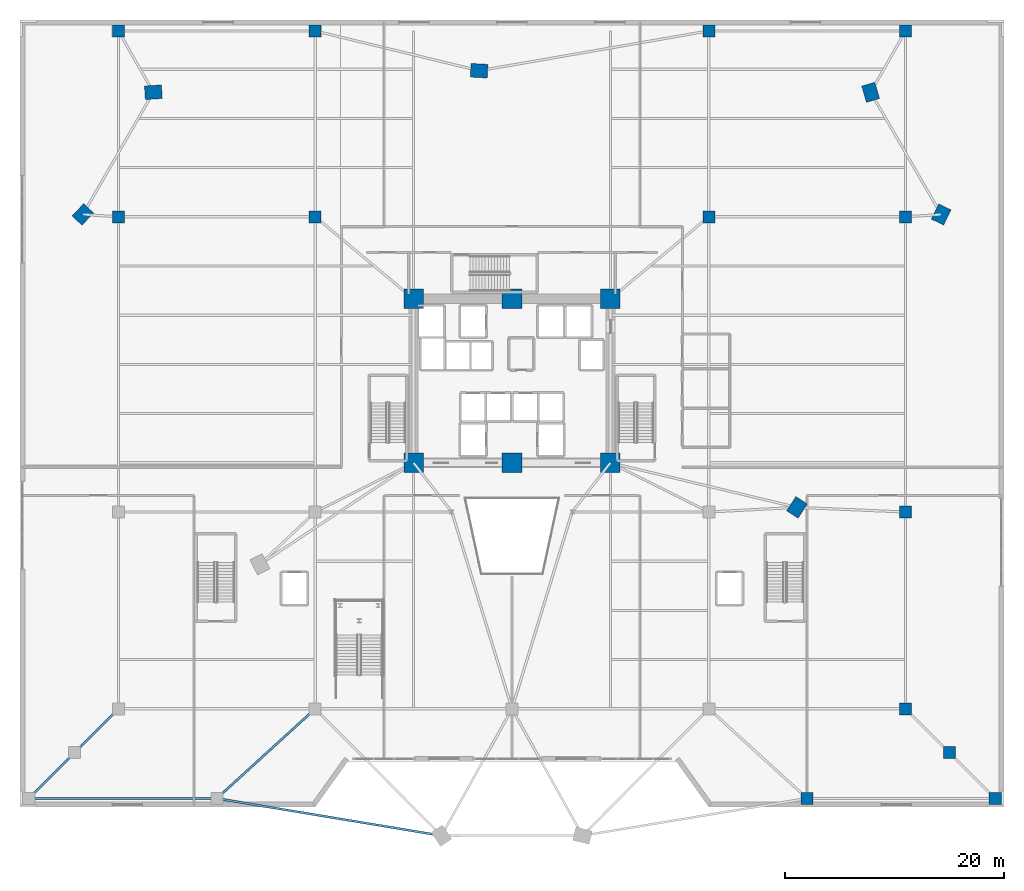
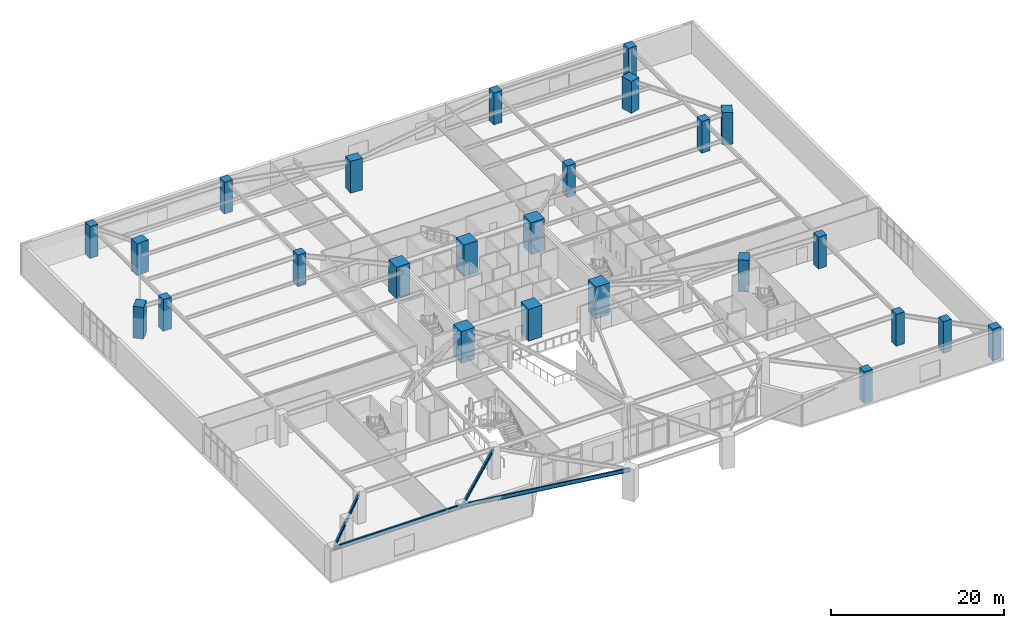
# One storey, part 3 of 29: 25 columns, 5 beams.
"""IFC4 building model written with IfcOpenShell, lengths in metres."""

from ifc_helpers import new_model, si_unit, direction, frame, origin, origin_2d, place, context, subcontext, project, spatial, rectangle, i_section, extrude, source, transform, mapped, material, material_profile, profile_set, type_object, element, save


model = new_model("IFC4")

# Units and contexts
model_context = context("Model", 3, precision=1e-05, world=origin(), true_north=direction((0.0, 1.0)))
body_context = subcontext(model_context, "Body", "Model", "MODEL_VIEW")
ifc_project = project(units=[si_unit("LENGTHUNIT", "METRE"), si_unit("AREAUNIT", "SQUARE_METRE"), si_unit("VOLUMEUNIT", "CUBIC_METRE"), si_unit("PLANEANGLEUNIT", "RADIAN"), si_unit("MASSUNIT", "GRAM", prefix="KILO")], contexts=[model_context])

# Site, building, storey
site_placement = place(None, origin())
site = spatial("IfcSite", under=ifc_project, at=site_placement, CompositionType="ELEMENT")
building_placement = place(site_placement, origin())
building = spatial("IfcBuilding", under=site, at=building_placement, Name="Liaohun Quay Tower", CompositionType="ELEMENT")
storey_placement = place(building_placement, frame((0.0, 0.0, 5.39990234375)))
storey = spatial("IfcBuildingStorey", under=building, at=storey_placement, Name="L02", CompositionType="ELEMENT", Elevation=5.39990234375)

# Columns
ifc_material_1 = material(Name="Concrete C60", Category="concrete")
ifc_material_profile_1 = material_profile(ifc_material_1, rectangle(XDim=1.800048828125, YDim=1.800048828125, at=origin_2d()), Name="RC1800x1800")
ifc_profile_set_1 = profile_set([ifc_material_profile_1], Name="Concrete C60")
column_type_1 = type_object("IfcColumnType", Name="COL-CC-B", PredefinedType="COLUMN", material=ifc_profile_set_1)
shared_shape_1 = source(origin(), body_context, "Body", "SweptSolid", [
    extrude(rectangle(XDim=1.800048828125, YDim=1.800048828125, at=origin_2d()), origin(), (0.0, 0.0, 1.0), 4.5),
])
for number, where, z_axis, x_axis, name in (
    (1, (51.0, 46.5, 0.0), (0.0, 0.0, 1.0), (1.0, 0.0, 0.0), "L02 Core Column CC1"),
    (2, (60.0, 46.5, 0.0), (0.0, 0.0, 1.0), (1.0, 0.0, 0.0), "L02 Core Column CC2"),
    (3, (69.0, 46.5, 0.0), (0.0, 0.0, 1.0), (1.0, 0.0, 0.0), "L02 Core Column CC3"),
    (4, (69.0, 61.5, 0.0), (0.0, 0.0, 1.0), (1.0, 0.0, 0.0), "L02 Core Column CC4"),
    (5, (60.0, 61.5, 0.0), (0.0, 0.0, 1.0), (1.0, 0.0, 0.0), "L02 Core Column CC5"),
    (6, (51.0, 61.5, 0.0), (0.0, 0.0, 1.0), (1.0, 0.0, 0.0), "L02 Core Column CC6"),
):
    element("IfcColumn", number, at=place(storey_placement, frame(where, z_axis=z_axis, x_axis=x_axis)), inside=storey, type_object=column_type_1, Name=name, PredefinedType="COLUMN", context=body_context, shape_type="MappedRepresentation", body=[
        mapped(shared_shape_1, transform((0.0, 0.0, 0.0), x_axis=(1.0, 0.0, 0.0), y_axis=(0.0, 1.0, 0.0), z_axis=(0.0, 0.0, 1.0), scale=1.0)),
    ])
ifc_material_profile_2 = material_profile(ifc_material_1, rectangle(XDim=1.550048828125, YDim=1.25, at=origin_2d()), Name="RC1550x1250")
ifc_profile_set_2 = profile_set([ifc_material_profile_2], Name="Concrete C60")
column_type_2 = type_object("IfcColumnType", Name="COL-PIER-Z1", PredefinedType="COLUMN", material=ifc_profile_set_2)
shared_shape_2 = source(origin(), body_context, "Body", "SweptSolid", [
    extrude(rectangle(XDim=1.550048828125, YDim=1.25, at=origin_2d()), origin(), (0.0, 0.0, 1.0), 4.5),
])
for number, where, z_axis, x_axis, name in (
    (7, (20.748046875, 69.217041015625, 0.0), (0.0, 0.0, 1.0), (0.68936671806, 0.724412539946, 0.0), "L02 Tower Mega-Pier PC03"),
    (8, (27.198974609375, 80.39111328125, 0.0), (0.0, 0.0, 1.0), (0.997824541457, 0.065925597951, 0.0), "L02 Tower Mega-Pier PC05"),
    (9, (92.802978515625, 80.384033203125, 0.0), (0.0, 0.0, 1.0), (-0.282676303383, 0.959215360337, 0.0), "L02 Tower Mega-Pier PC07"),
    (10, (99.256103515625, 69.2119140625, 0.0), (0.0, 0.0, 1.0), (0.441819028143, 0.897104200397, 0.0), "L02 Tower Mega-Pier PC09"),
    (11, (56.9951171875, 82.360107421875, 0.0), (0.0, 0.0, 1.0), (-0.998479491627, 0.055124448298, 0.0), "L02 Tower Mega-Pier PC06"),
    (12, (86.06396484375, 42.423095703125, 0.0), (0.0, 0.0, 1.0), (0.546978918409, 0.837146380758, 0.0), "L02 Tower Mega-Pier PC10"),
):
    element("IfcColumn", number, at=place(storey_placement, frame(where, z_axis=z_axis, x_axis=x_axis)), inside=storey, type_object=column_type_2, Name=name, PredefinedType="COLUMN", context=body_context, shape_type="MappedRepresentation", body=[
        mapped(shared_shape_2, transform((0.0, 0.0, 0.0), x_axis=(1.0, 0.0, 0.0), y_axis=(0.0, 1.0, 0.0), z_axis=(0.0, 0.0, 1.0), scale=1.0)),
    ])
ifc_material_2 = material(Name="Concrete C55", Category="concrete")
ifc_material_profile_3 = material_profile(ifc_material_2, rectangle(XDim=1.10009765625, YDim=1.10009765625, at=origin_2d()), Name="RC1100x1100")
ifc_profile_set_3 = profile_set([ifc_material_profile_3], Name="Concrete C55")
column_type_3 = type_object("IfcColumnType", Name="COL-POD-P", PredefinedType="COLUMN", material=ifc_profile_set_3)
shared_shape_3 = source(origin(), body_context, "Body", "SweptSolid", [
    extrude(rectangle(XDim=1.10009765625, YDim=1.10009765625, at=origin_2d()), origin(), (0.0, 0.0, 1.0), 4.5),
])
for number, where, z_axis, x_axis, name in (
    (13, (96.0, 24.0, 0.0), (0.0, 0.0, 1.0), (1.0, 0.0, 0.0), "L02 Podium Column PG05"),
    (14, (96.0, 42.0, 0.0), (0.0, 0.0, 1.0), (1.0, 0.0, 0.0), "L02 Podium Column PG09"),
    (15, (24.0, 69.0, 0.0), (0.0, 0.0, 1.0), (1.0, 0.0, 0.0), "L02 Podium Column PG10"),
    (16, (42.0, 69.0, 0.0), (0.0, 0.0, 1.0), (1.0, 0.0, 0.0), "L02 Podium Column PG11"),
    (17, (78.0, 69.0, 0.0), (0.0, 0.0, 1.0), (1.0, 0.0, 0.0), "L02 Podium Column PG12"),
    (18, (96.0, 69.0, 0.0), (0.0, 0.0, 1.0), (1.0, 0.0, 0.0), "L02 Podium Column PG13"),
    (19, (24.0, 86.0, 0.0), (0.0, 0.0, 1.0), (1.0, 0.0, 0.0), "L02 Podium Column PG14"),
    (20, (42.0, 86.0, 0.0), (0.0, 0.0, 1.0), (1.0, 0.0, 0.0), "L02 Podium Column PG15"),
    (21, (78.0, 86.0, 0.0), (0.0, 0.0, 1.0), (1.0, 0.0, 0.0), "L02 Podium Column PG17"),
    (22, (96.0, 86.0, 0.0), (0.0, 0.0, 1.0), (1.0, 0.0, 0.0), "L02 Podium Column PG18"),
    (23, (87.0, 15.800048828125, 0.0), (0.0, 0.0, 1.0), (1.0, 0.0, 0.0), "L02 Podium Column PT03"),
    (24, (104.199951171875, 15.800048828125, 0.0), (0.0, 0.0, 1.0), (1.0, 0.0, 0.0), "L02 Podium Column PT04"),
    (25, (100.0, 20.0, 0.0), (0.0, 0.0, 1.0), (1.0, 0.0, 0.0), "L02 Podium Column PT06"),
):
    element("IfcColumn", number, at=place(storey_placement, frame(where, z_axis=z_axis, x_axis=x_axis)), inside=storey, type_object=column_type_3, Name=name, PredefinedType="COLUMN", context=body_context, shape_type="MappedRepresentation", body=[
        mapped(shared_shape_3, transform((0.0, 0.0, 0.0), x_axis=(1.0, 0.0, 0.0), y_axis=(0.0, 1.0, 0.0), z_axis=(0.0, 0.0, 1.0), scale=1.0)),
    ])

# Beams
ifc_material_3 = material(Name="Steel Q355D", Category="steel")
ifc_material_profile_4 = material_profile(ifc_material_3, i_section(OverallWidth=0.199951171875, OverallDepth=0.550048828125, WebThickness=0.010009765625, FlangeThickness=0.01611328125, at=origin_2d()), Name="HN550x200x10x16")
ifc_profile_set_4 = profile_set([ifc_material_profile_4], Name="Steel Q355D")
beam_type = type_object("IfcBeamType", Name="BM-POD-G2", PredefinedType="BEAM", material=ifc_profile_set_4)
shared_shape_4 = source(origin(), body_context, "Body", "SweptSolid", [
    extrude(i_section(OverallWidth=0.199951171875, OverallDepth=0.550048828125, WebThickness=0.010009765625, FlangeThickness=0.01611328125, at=origin_2d()), origin(), (0.0, 0.0, 1.0), 17.199951171875),
])
beam_1_placement = place(storey_placement, frame((15.800048828125, 15.800048828125, 3.97509765625), z_axis=(1.0, 0.0, 0.0), x_axis=(0.0, 1.0, 0.0)))
element("IfcBeam", 26, at=beam_1_placement, inside=storey, type_object=beam_type, Name="L02 Perimeter Tie Girder PT01-PT02", PredefinedType="BEAM", context=body_context, shape_type="MappedRepresentation", body=[
    mapped(shared_shape_4, transform((0.0, 0.0, 0.0), x_axis=(1.0, 0.0, 0.0), y_axis=(0.0, 1.0, 0.0), z_axis=(0.0, 0.0, 1.0), scale=1.0)),
])
shared_shape_5 = source(origin(), body_context, "Body", "SweptSolid", [
    extrude(i_section(OverallWidth=0.199951171875, OverallDepth=0.550048828125, WebThickness=0.010009765625, FlangeThickness=0.01611328125, at=origin_2d()), origin(), (0.0, 0.0, 1.0), 20.825927734375),
])
beam_2_placement = place(storey_placement, frame((33.0, 15.800048828125, 3.97509765625), z_axis=(0.986558813697, -0.163406569991, 0.0), x_axis=(0.163406569991, 0.986558813697, 0.0)))
element("IfcBeam", 27, at=beam_2_placement, inside=storey, type_object=beam_type, Name="L02 Perimeter Tie Girder PT02-PC01", PredefinedType="BEAM", context=body_context, shape_type="MappedRepresentation", body=[
    mapped(shared_shape_5, transform((0.0, 0.0, 0.0), x_axis=(1.0, 0.0, 0.0), y_axis=(0.0, 1.0, 0.0), z_axis=(0.0, 0.0, 1.0), scale=1.0)),
])
shared_shape_6 = source(origin(), body_context, "Body", "SweptSolid", [
    extrude(i_section(OverallWidth=0.199951171875, OverallDepth=0.550048828125, WebThickness=0.010009765625, FlangeThickness=0.01611328125, at=origin_2d()), origin(), (0.0, 0.0, 1.0), 5.939697265625),
])
beam_3_placement = place(storey_placement, frame((15.800048828125, 15.800048828125, 3.97509765625), z_axis=(0.707106781187, 0.707106781187, 0.0), x_axis=(-0.707106781187, 0.707106781187, 0.0)))
element("IfcBeam", 28, at=beam_3_placement, inside=storey, type_object=beam_type, Name="L02 Perimeter Tie Girder PT01-PT05", PredefinedType="BEAM", context=body_context, shape_type="MappedRepresentation", body=[
    mapped(shared_shape_6, transform((0.0, 0.0, 0.0), x_axis=(1.0, 0.0, 0.0), y_axis=(0.0, 1.0, 0.0), z_axis=(0.0, 0.0, 1.0), scale=1.0)),
])
shared_shape_7 = source(origin(), body_context, "Body", "SweptSolid", [
    extrude(i_section(OverallWidth=0.199951171875, OverallDepth=0.550048828125, WebThickness=0.010009765625, FlangeThickness=0.01611328125, at=origin_2d()), origin(), (0.0, 0.0, 1.0), 12.17529296875),
])
beam_4_placement = place(storey_placement, frame((33.0, 15.800048828125, 3.97509765625), z_axis=(0.739198333818, 0.673487804849, 0.0), x_axis=(-0.673487804849, 0.739198333818, 0.0)))
element("IfcBeam", 29, at=beam_4_placement, inside=storey, type_object=beam_type, Name="L02 Perimeter Tie Girder PT02-PG02", PredefinedType="BEAM", context=body_context, shape_type="MappedRepresentation", body=[
    mapped(shared_shape_7, transform((0.0, 0.0, 0.0), x_axis=(1.0, 0.0, 0.0), y_axis=(0.0, 1.0, 0.0), z_axis=(0.0, 0.0, 1.0), scale=1.0)),
])
shared_shape_8 = source(origin(), body_context, "Body", "SweptSolid", [
    extrude(i_section(OverallWidth=0.199951171875, OverallDepth=0.550048828125, WebThickness=0.010009765625, FlangeThickness=0.01611328125, at=origin_2d()), origin(), (0.0, 0.0, 1.0), 5.65673828125),
])
beam_5_placement = place(storey_placement, frame((20.0, 20.0, 3.97509765625), z_axis=(0.707106781187, 0.707106781187, 0.0), x_axis=(-0.707106781187, 0.707106781187, 0.0)))
element("IfcBeam", 30, at=beam_5_placement, inside=storey, type_object=beam_type, Name="L02 Perimeter Tie Girder PT05-PG01", PredefinedType="BEAM", context=body_context, shape_type="MappedRepresentation", body=[
    mapped(shared_shape_8, transform((0.0, 0.0, 0.0), x_axis=(1.0, 0.0, 0.0), y_axis=(0.0, 1.0, 0.0), z_axis=(0.0, 0.0, 1.0), scale=1.0)),
])

save(model, "model.ifc")
